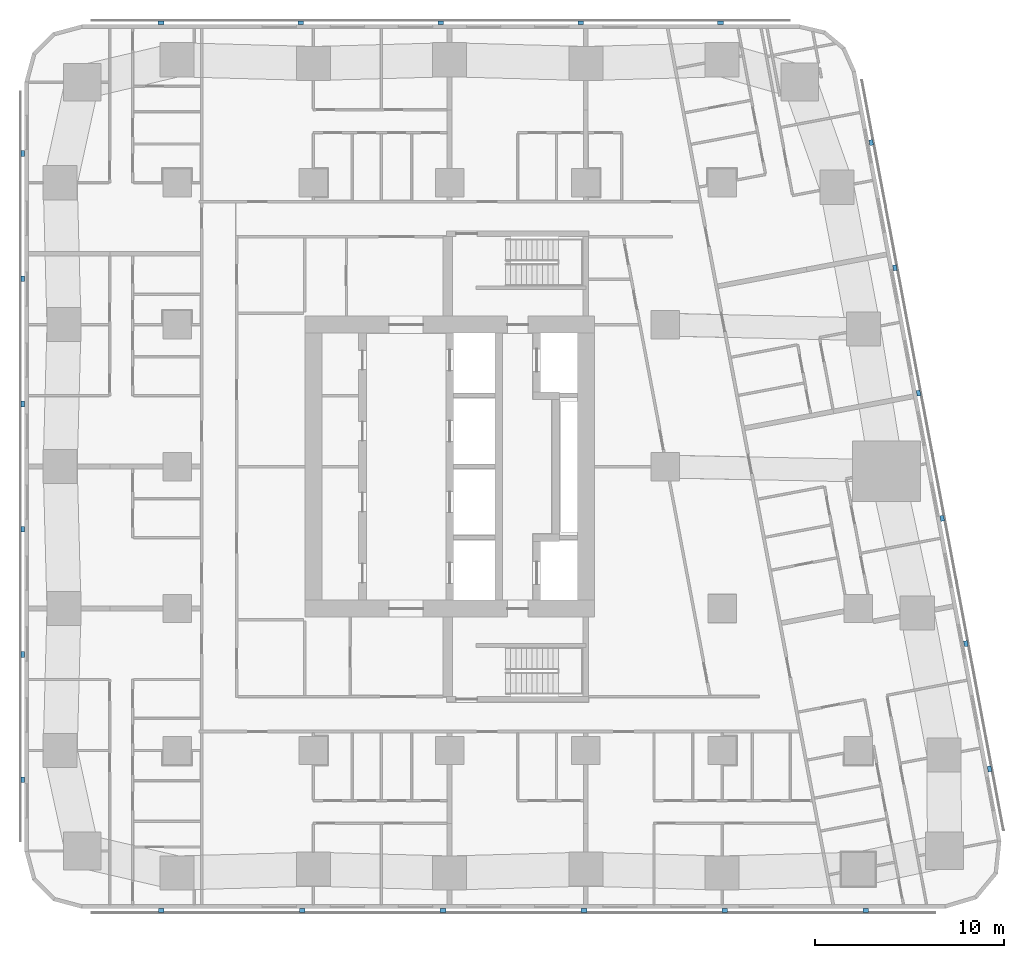
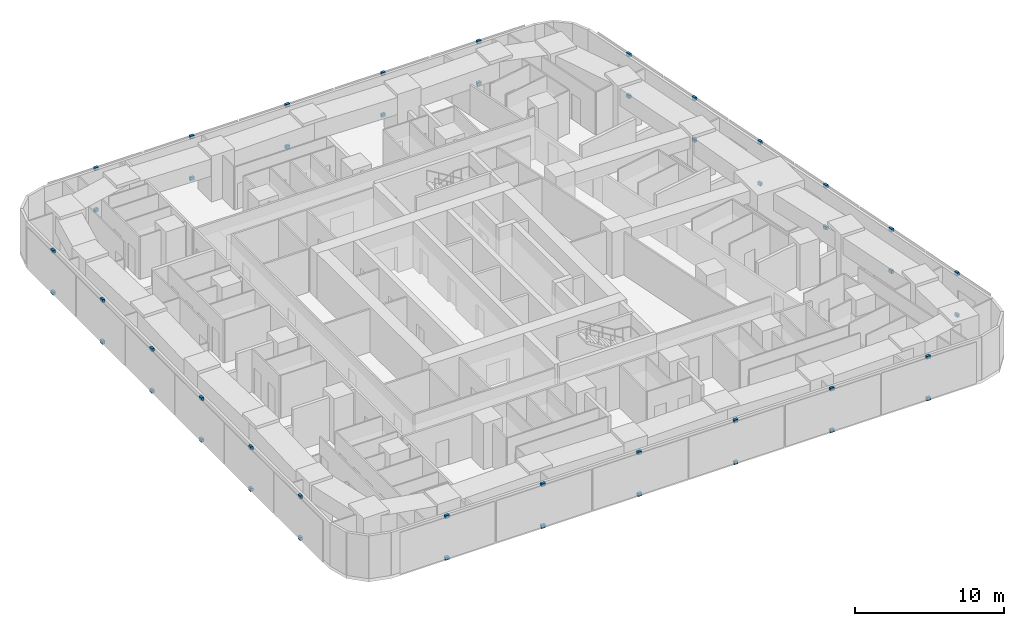
# One storey, part 12 of 15: 46 discrete accessories.
"""IFC4 building model written with IfcOpenShell, lengths in metres."""

from ifc_helpers import new_model, si_unit, direction, frame, origin, origin_2d, place, context, subcontext, project, spatial, rectangle, extrude, material, type_object, element, save


model = new_model("IFC4")

# Units and contexts
model_context = context("Model", 3, precision=1e-05, world=origin(), true_north=direction((0.0, 1.0)))
body_context = subcontext(model_context, "Body", "Model", "MODEL_VIEW")
ifc_project = project(units=[si_unit("LENGTHUNIT", "METRE"), si_unit("AREAUNIT", "SQUARE_METRE"), si_unit("VOLUMEUNIT", "CUBIC_METRE"), si_unit("PLANEANGLEUNIT", "RADIAN"), si_unit("MASSUNIT", "GRAM", prefix="KILO")], contexts=[model_context])

# Site, building, storey
site_placement = place(None, origin())
site = spatial("IfcSite", under=ifc_project, at=site_placement, CompositionType="ELEMENT")
building_placement = place(site_placement, origin())
building = spatial("IfcBuilding", under=site, at=building_placement, Name="Sheger Commons Tower", CompositionType="ELEMENT")
storey_placement = place(building_placement, frame((0.0, 0.0, 180.800048828125)))
storey = spatial("IfcBuildingStorey", under=building, at=storey_placement, Name="L46", CompositionType="ELEMENT", Elevation=180.800048828125)

# Discrete accessories
ifc_material = material(Name="Black painted steel bracket", Category="steel")
discrete_accessory_type = type_object("IfcDiscreteAccessoryType", Name="SCREEN BRACKET 300x200x250", PredefinedType="BRACKET", material=ifc_material)
for number, where, z_axis, x_axis, name in (
    (1, (6.37109375, -0.949951171875, -0.10009765625), (0.0, 0.0, 1.0), (1.0, 0.0, 0.0), "Solar screen foot bracket"),
    (2, (6.37109375, -0.949951171875, 3.300048828125), (0.0, 0.0, 1.0), (1.0, 0.0, 0.0), "Solar screen head bracket"),
    (3, (13.81396484375, -0.949951171875, -0.10009765625), (0.0, 0.0, 1.0), (1.0, 0.0, 0.0), "Solar screen foot bracket"),
    (4, (13.81396484375, -0.949951171875, 3.300048828125), (0.0, 0.0, 1.0), (1.0, 0.0, 0.0), "Solar screen head bracket"),
    (5, (21.257080078125, -0.949951171875, -0.10009765625), (0.0, 0.0, 1.0), (1.0, 0.0, 0.0), "Solar screen foot bracket"),
    (6, (21.257080078125, -0.949951171875, 3.300048828125), (0.0, 0.0, 1.0), (1.0, 0.0, 0.0), "Solar screen head bracket"),
    (7, (28.698974609375, -0.949951171875, -0.10009765625), (0.0, 0.0, 1.0), (1.0, 0.0, 0.0), "Solar screen foot bracket"),
    (8, (28.698974609375, -0.949951171875, 3.300048828125), (0.0, 0.0, 1.0), (1.0, 0.0, 0.0), "Solar screen head bracket"),
    (9, (36.14208984375, -0.949951171875, -0.10009765625), (0.0, 0.0, 1.0), (1.0, 0.0, 0.0), "Solar screen foot bracket"),
    (10, (36.14208984375, -0.949951171875, 3.300048828125), (0.0, 0.0, 1.0), (1.0, 0.0, 0.0), "Solar screen head bracket"),
    (11, (43.5849609375, -0.949951171875, -0.10009765625), (0.0, 0.0, 1.0), (1.0, 0.0, 0.0), "Solar screen foot bracket"),
    (12, (43.5849609375, -0.949951171875, 3.300048828125), (0.0, 0.0, 1.0), (1.0, 0.0, 0.0), "Solar screen head bracket"),
    (13, (50.134033203125, 6.527099609375, -0.10009765625), (0.0, 0.0, 1.0), (-0.185615165645, 0.982622516678, 0.0), "Solar screen foot bracket"),
    (14, (50.134033203125, 6.527099609375, 3.300048828125), (0.0, 0.0, 1.0), (-0.185615165645, 0.982622516678, 0.0), "Solar screen head bracket"),
    (15, (48.884033203125, 13.14599609375, -0.10009765625), (0.0, 0.0, 1.0), (-0.185615165645, 0.982622516678, 0.0), "Solar screen foot bracket"),
    (16, (48.884033203125, 13.14599609375, 3.300048828125), (0.0, 0.0, 1.0), (-0.185615165645, 0.982622516678, 0.0), "Solar screen head bracket"),
    (17, (47.633056640625, 19.76611328125, -0.10009765625), (0.0, 0.0, 1.0), (-0.185615165645, 0.982622516678, 0.0), "Solar screen foot bracket"),
    (18, (47.633056640625, 19.76611328125, 3.300048828125), (0.0, 0.0, 1.0), (-0.185615165645, 0.982622516678, 0.0), "Solar screen head bracket"),
    (19, (46.383056640625, 26.385009765625, -0.10009765625), (0.0, 0.0, 1.0), (-0.185615165645, 0.982622516678, 0.0), "Solar screen foot bracket"),
    (20, (46.383056640625, 26.385009765625, 3.300048828125), (0.0, 0.0, 1.0), (-0.185615165645, 0.982622516678, 0.0), "Solar screen head bracket"),
    (21, (45.133056640625, 33.0048828125, -0.10009765625), (0.0, 0.0, 1.0), (-0.185615165645, 0.982622516678, 0.0), "Solar screen foot bracket"),
    (22, (45.133056640625, 33.0048828125, 3.300048828125), (0.0, 0.0, 1.0), (-0.185615165645, 0.982622516678, 0.0), "Solar screen head bracket"),
    (23, (43.882080078125, 39.6240234375, -0.10009765625), (0.0, 0.0, 1.0), (-0.185615165645, 0.982622516678, 0.0), "Solar screen foot bracket"),
    (24, (43.882080078125, 39.6240234375, 3.300048828125), (0.0, 0.0, 1.0), (-0.185615165645, 0.982622516678, 0.0), "Solar screen head bracket"),
    (25, (35.9208984375, 45.949951171875, -0.10009765625), (0.0, 0.0, 1.0), (-1.0, 0.0, 0.0), "Solar screen foot bracket"),
    (26, (35.9208984375, 45.949951171875, 3.300048828125), (0.0, 0.0, 1.0), (-1.0, 0.0, 0.0), "Solar screen head bracket"),
    (27, (28.528076171875, 45.949951171875, -0.10009765625), (0.0, 0.0, 1.0), (-1.0, 0.0, 0.0), "Solar screen foot bracket"),
    (28, (28.528076171875, 45.949951171875, 3.300048828125), (0.0, 0.0, 1.0), (-1.0, 0.0, 0.0), "Solar screen head bracket"),
    (29, (21.134033203125, 45.949951171875, -0.10009765625), (0.0, 0.0, 1.0), (-1.0, 0.0, 0.0), "Solar screen foot bracket"),
    (30, (21.134033203125, 45.949951171875, 3.300048828125), (0.0, 0.0, 1.0), (-1.0, 0.0, 0.0), "Solar screen head bracket"),
    (31, (13.739990234375, 45.949951171875, -0.10009765625), (0.0, 0.0, 1.0), (-1.0, 0.0, 0.0), "Solar screen foot bracket"),
    (32, (13.739990234375, 45.949951171875, 3.300048828125), (0.0, 0.0, 1.0), (-1.0, 0.0, 0.0), "Solar screen head bracket"),
    (33, (6.346923828125, 45.949951171875, -0.10009765625), (0.0, 0.0, 1.0), (-1.0, 0.0, 0.0), "Solar screen foot bracket"),
    (34, (6.346923828125, 45.949951171875, 3.300048828125), (0.0, 0.0, 1.0), (-1.0, 0.0, 0.0), "Solar screen head bracket"),
    (35, (-0.949951171875, 39.0419921875, -0.10009765625), (0.0, 0.0, 1.0), (0.0, -1.0, 0.0), "Solar screen foot bracket"),
    (36, (-0.949951171875, 39.0419921875, 3.300048828125), (0.0, 0.0, 1.0), (0.0, -1.0, 0.0), "Solar screen head bracket"),
    (37, (-0.949951171875, 32.425048828125, -0.10009765625), (0.0, 0.0, 1.0), (0.0, -1.0, 0.0), "Solar screen foot bracket"),
    (38, (-0.949951171875, 32.425048828125, 3.300048828125), (0.0, 0.0, 1.0), (0.0, -1.0, 0.0), "Solar screen head bracket"),
    (39, (-0.949951171875, 25.80810546875, -0.10009765625), (0.0, 0.0, 1.0), (0.0, -1.0, 0.0), "Solar screen foot bracket"),
    (40, (-0.949951171875, 25.80810546875, 3.300048828125), (0.0, 0.0, 1.0), (0.0, -1.0, 0.0), "Solar screen head bracket"),
    (41, (-0.949951171875, 19.19189453125, -0.10009765625), (0.0, 0.0, 1.0), (0.0, -1.0, 0.0), "Solar screen foot bracket"),
    (42, (-0.949951171875, 19.19189453125, 3.300048828125), (0.0, 0.0, 1.0), (0.0, -1.0, 0.0), "Solar screen head bracket"),
    (43, (-0.949951171875, 12.574951171875, -0.10009765625), (0.0, 0.0, 1.0), (0.0, -1.0, 0.0), "Solar screen foot bracket"),
    (44, (-0.949951171875, 12.574951171875, 3.300048828125), (0.0, 0.0, 1.0), (0.0, -1.0, 0.0), "Solar screen head bracket"),
    (45, (-0.949951171875, 5.9580078125, -0.10009765625), (0.0, 0.0, 1.0), (0.0, -1.0, 0.0), "Solar screen foot bracket"),
    (46, (-0.949951171875, 5.9580078125, 3.300048828125), (0.0, 0.0, 1.0), (0.0, -1.0, 0.0), "Solar screen head bracket"),
):
    element("IfcDiscreteAccessory", number, at=place(storey_placement, frame(where, z_axis=z_axis, x_axis=x_axis)), inside=storey, type_object=discrete_accessory_type, Name=name, PredefinedType="BRACKET", context=body_context, shape_type="SweptSolid", body=[
        extrude(rectangle(XDim=0.300048828125, YDim=0.199951171875, at=origin_2d()), origin(), (0.0, 0.0, 1.0), 0.25),
    ])

save(model, "model.ifc")
